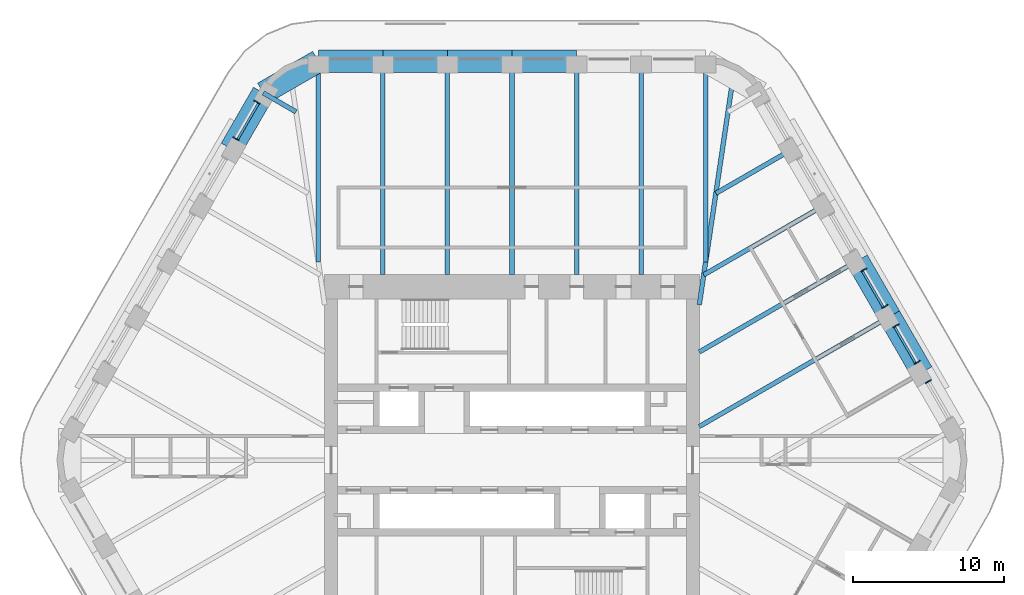
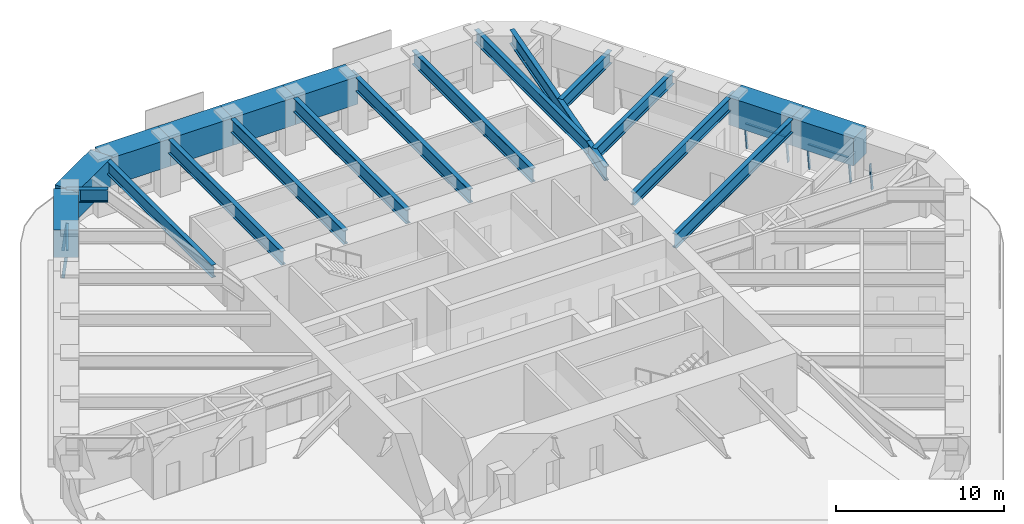
# One storey, part 9 of 18: 21 beams, 10 members, 4 elements without a shape of their own.
"""IFC4 building model written with IfcOpenShell, lengths in metres."""

from ifc_helpers import new_model, si_unit, direction, frame, origin, origin_2d, place, context, subcontext, project, spatial, rectangle, i_section, extrude, material, material_profile, profile_set, type_object, element, aggregate, save


model = new_model("IFC4")

# Units and contexts
model_context = context("Model", 3, precision=1e-05, world=origin(), true_north=direction((0.0, 1.0)))
body_context = subcontext(model_context, "Body", "Model", "MODEL_VIEW")
ifc_project = project(units=[si_unit("LENGTHUNIT", "METRE"), si_unit("AREAUNIT", "SQUARE_METRE"), si_unit("VOLUMEUNIT", "CUBIC_METRE"), si_unit("PLANEANGLEUNIT", "RADIAN"), si_unit("MASSUNIT", "GRAM", prefix="KILO")], contexts=[model_context])

# Site, building, storey
site_placement = place(None, origin())
site = spatial("IfcSite", under=ifc_project, at=site_placement, CompositionType="ELEMENT")
building_placement = place(site_placement, origin())
building = spatial("IfcBuilding", under=site, at=building_placement, Name="Tarfa Lantern Tower", CompositionType="ELEMENT")
storey_placement = place(building_placement, frame((0.0, 0.0, 324.10009765625)))
storey = spatial("IfcBuildingStorey", under=building, at=storey_placement, Name="L73", CompositionType="ELEMENT", Elevation=324.10009765625)

# Curtain wall, member
ifc_material_1 = material(Name="Aluminium framed curtain wall", Category="aluminium")
curtain_wall_type = type_object("IfcCurtainWallType", Name="CW4 CANTED GLAZING EXECUTIVE ZONE 2000", PredefinedType="USERDEFINED", material=ifc_material_1)
curtain_wall_1_placement = place(storey_placement, origin())
curtain_wall_1 = element("IfcCurtainWall", 1, at=curtain_wall_1_placement, inside=storey, type_object=curtain_wall_type, Name="CW4 NE L73", ObjectType="CURTAIN WALL", PredefinedType="USERDEFINED")
ifc_material_2 = material(Name="Aluminium mullion", Category="aluminium")
ifc_material_profile_1 = material_profile(ifc_material_2, rectangle(XDim=0.06494140625, YDim=0.199951171875, at=origin_2d()), Name="AL MULLION 65x200")
ifc_profile_set_1 = profile_set([ifc_material_profile_1], Name="Aluminium mullion")
member_type_1 = type_object("IfcMemberType", Name="CWM1 MULLION 65x200", PredefinedType="MULLION", material=ifc_profile_set_1)
member_1_placement = place(storey_placement, frame((27.727783203125, 5.27392578125, 0.0), z_axis=(-0.107439978116, -0.062017213975, 0.992275423596), x_axis=(0.499919672301, -0.866071776036, 0.0)))
member_1 = element("IfcMember", 2, at=member_1_placement, type_object=member_type_1, Name="CW4 mullion 2", PredefinedType="MULLION", context=body_context, shape_type="SweptSolid", body=[
    extrude(rectangle(XDim=0.06494140625, YDim=0.199951171875, at=origin_2d()), origin(), (0.0, 0.0, 1.0), 2.015625),
])
aggregate(curtain_wall_1, [member_1])

# Curtain wall, members
curtain_wall_2_placement = place(storey_placement, origin())
curtain_wall_2 = element("IfcCurtainWall", 3, at=curtain_wall_2_placement, inside=storey, type_object=curtain_wall_type, Name="CW4 NE L73", ObjectType="CURTAIN WALL", PredefinedType="USERDEFINED")
member_2_placement = place(storey_placement, frame((26.995361328125, 6.542724609375, 0.0), z_axis=(-0.107439978116, -0.062017213975, 0.992275423596), x_axis=(0.499919672301, -0.866071776036, 0.0)))
member_2 = element("IfcMember", 4, at=member_2_placement, type_object=member_type_1, Name="CW4 mullion 1", PredefinedType="MULLION", context=body_context, shape_type="SweptSolid", body=[
    extrude(rectangle(XDim=0.06494140625, YDim=0.199951171875, at=origin_2d()), origin(), (0.0, 0.0, 1.0), 2.015625),
])
member_3_placement = place(storey_placement, frame((25.5869140625, 8.982421875, 0.0), z_axis=(-0.107439978116, -0.062017213975, 0.992275423596), x_axis=(0.499919672301, -0.866071776036, 0.0)))
member_3 = element("IfcMember", 5, at=member_3_placement, type_object=member_type_1, Name="CW4 mullion 2", PredefinedType="MULLION", context=body_context, shape_type="SweptSolid", body=[
    extrude(rectangle(XDim=0.06494140625, YDim=0.199951171875, at=origin_2d()), origin(), (0.0, 0.0, 1.0), 2.015625),
])

curtain_wall_3_placement = place(storey_placement, origin())
curtain_wall_3 = element("IfcCurtainWall", 6, at=curtain_wall_3_placement, inside=storey, type_object=curtain_wall_type, Name="CW4 NE L73", ObjectType="CURTAIN WALL", PredefinedType="USERDEFINED")
member_4_placement = place(storey_placement, frame((24.854248046875, 10.2509765625, 0.0), z_axis=(-0.107320246625, -0.062018020623, 0.992288329964), x_axis=(0.500342721131, -0.865827443207, 0.0)))
member_4 = element("IfcMember", 7, at=member_4_placement, type_object=member_type_1, Name="CW4 mullion 1", PredefinedType="MULLION", context=body_context, shape_type="SweptSolid", body=[
    extrude(rectangle(XDim=0.06494140625, YDim=0.199951171875, at=origin_2d()), origin(), (0.0, 0.0, 1.0), 2.015625),
])
member_5_placement = place(storey_placement, frame((23.44580078125, 12.690673828125, 0.0), z_axis=(-0.107439978116, -0.062017213975, 0.992275423596), x_axis=(0.499919672301, -0.866071776036, 0.0)))
member_5 = element("IfcMember", 8, at=member_5_placement, type_object=member_type_1, Name="CW4 mullion 2", PredefinedType="MULLION", context=body_context, shape_type="SweptSolid", body=[
    extrude(rectangle(XDim=0.06494140625, YDim=0.199951171875, at=origin_2d()), origin(), (0.0, 0.0, 1.0), 2.015625),
])

curtain_wall_4_placement = place(storey_placement, origin())
curtain_wall_4 = element("IfcCurtainWall", 9, at=curtain_wall_4_placement, inside=storey, type_object=curtain_wall_type, Name="CW4 NW L73", ObjectType="CURTAIN WALL", PredefinedType="USERDEFINED")
member_6_placement = place(storey_placement, frame((-17.022705078125, 23.815673828125, 0.0), z_axis=(0.107320246625, -0.062018020623, 0.992288329964), x_axis=(0.500342721131, 0.865827443207, 0.0)))
member_6 = element("IfcMember", 10, at=member_6_placement, type_object=member_type_1, Name="CW4 mullion 1", PredefinedType="MULLION", context=body_context, shape_type="SweptSolid", body=[
    extrude(rectangle(XDim=0.06494140625, YDim=0.199951171875, at=origin_2d()), origin(), (0.0, 0.0, 1.0), 2.015625),
])
member_7_placement = place(storey_placement, frame((-18.431396484375, 21.3759765625, 0.0), z_axis=(0.107439978116, -0.062017213975, 0.992275423596), x_axis=(0.499919672301, 0.866071776036, 0.0)))
member_7 = element("IfcMember", 11, at=member_7_placement, type_object=member_type_1, Name="CW4 mullion 2", PredefinedType="MULLION", context=body_context, shape_type="SweptSolid", body=[
    extrude(rectangle(XDim=0.06494140625, YDim=0.199951171875, at=origin_2d()), origin(), (0.0, 0.0, 1.0), 2.015625),
])

# Member
ifc_material_3 = material(Name="Aluminium transom", Category="aluminium")
ifc_material_profile_2 = material_profile(ifc_material_3, rectangle(XDim=0.14990234375, YDim=0.06494140625, at=origin_2d()), Name="AL TRANSOM 150x65")
ifc_profile_set_2 = profile_set([ifc_material_profile_2], Name="Aluminium transom")
member_type_2 = type_object("IfcMemberType", Name="CWT1 TRANSOM 150x65", PredefinedType="USERDEFINED", material=ifc_profile_set_2)
member_8_placement = place(storey_placement, frame((26.76611328125, 6.44775390625, 1.96728515625), z_axis=(-0.499955378711, 0.866051164365, 0.0), x_axis=(-0.866051164365, -0.499955378711, 0.0)))
member_8 = element("IfcMember", 12, at=member_8_placement, type_object=member_type_2, Name="CW4 transom 1.2", ObjectType="TRANSOM", PredefinedType="USERDEFINED", context=body_context, shape_type="SweptSolid", body=[
    extrude(rectangle(XDim=0.14990234375, YDim=0.06494140625, at=origin_2d()), origin(), (0.0, 0.0, 1.0), 2.752197265625),
])

aggregate(curtain_wall_2, [member_2, member_3, member_8])

member_9_placement = place(storey_placement, frame((24.625, 10.15625, 1.96728515625), z_axis=(-0.499993790352, 0.866028988896, 0.0), x_axis=(-0.866028988896, -0.499993790352, 0.0)))
member_9 = element("IfcMember", 13, at=member_9_placement, type_object=member_type_2, Name="CW4 transom 1.2", ObjectType="TRANSOM", PredefinedType="USERDEFINED", context=body_context, shape_type="SweptSolid", body=[
    extrude(rectangle(XDim=0.14990234375, YDim=0.06494140625, at=origin_2d()), origin(), (0.0, 0.0, 1.0), 2.751953125),
])

aggregate(curtain_wall_3, [member_4, member_5, member_9])

member_10_placement = place(storey_placement, frame((-16.826171875, 23.66455078125, 1.96728515625), z_axis=(-0.499993790352, -0.866028988896, 0.0), x_axis=(0.866028988896, -0.499993790352, 0.0)))
member_10 = element("IfcMember", 14, at=member_10_placement, type_object=member_type_2, Name="CW4 transom 1.2", ObjectType="TRANSOM", PredefinedType="USERDEFINED", context=body_context, shape_type="SweptSolid", body=[
    extrude(rectangle(XDim=0.14990234375, YDim=0.06494140625, at=origin_2d()), origin(), (0.0, 0.0, 1.0), 2.751953125),
])

aggregate(curtain_wall_4, [member_6, member_7, member_10])

# Beams
ifc_material_4 = material(Name="Concrete C80/95", Category="concrete")
ifc_material_profile_3 = material_profile(ifc_material_4, rectangle(XDim=1.5, YDim=2.0, at=origin_2d()), Name="RC 1500x2000")
ifc_profile_set_3 = profile_set([ifc_material_profile_3], Name="Concrete C80/95")
beam_type_1 = type_object("IfcBeamType", Name="RB3 RC 1500x2000", PredefinedType="BEAM", material=ifc_profile_set_3)
beam_1_placement = place(storey_placement, frame((27.205810546875, 5.818359375, 3.0), z_axis=(-0.500026801138, 0.866009929587, 0.0), x_axis=(-0.866009929587, -0.500026801138, 0.0)))
element("IfcBeam", 15, at=beam_1_placement, inside=storey, type_object=beam_type_1, Name="Edge beam NE1", PredefinedType="BEAM", context=body_context, shape_type="SweptSolid", body=[
    extrude(rectangle(XDim=1.5, YDim=2.0, at=origin_2d()), origin(), (0.0, 0.0, 1.0), 4.281982421875),
])
beam_2_placement = place(storey_placement, frame((25.064697265625, 9.526611328125, 3.0), z_axis=(-0.500002112793, 0.866024183959, 0.0), x_axis=(-0.866024183959, -0.500002112793, 0.0)))
element("IfcBeam", 16, at=beam_2_placement, inside=storey, type_object=beam_type_1, Name="Edge beam NE2", PredefinedType="BEAM", context=body_context, shape_type="SweptSolid", body=[
    extrude(rectangle(XDim=1.5, YDim=2.0, at=origin_2d()), origin(), (0.0, 0.0, 1.0), 4.2822265625),
])
for number, where, z_axis, x_axis, name in (
    (17, (4.281982421875, 26.469970703125, 3.0), (-1.0, 0.0, 0.0), (0.0, -1.0, 0.0), "Edge beam N2"),
    (18, (0.0, 26.469970703125, 3.0), (-1.0, 0.0, 0.0), (0.0, -1.0, 0.0), "Edge beam N3"),
    (19, (-4.281982421875, 26.469970703125, 3.0), (-1.0, 0.0, 0.0), (0.0, -1.0, 0.0), "Edge beam N4"),
    (20, (-8.56396484375, 26.469970703125, 3.0), (-1.0, 0.0, 0.0), (0.0, -1.0, 0.0), "Edge beam N5"),
):
    element("IfcBeam", number, at=place(storey_placement, frame(where, z_axis=z_axis, x_axis=x_axis)), inside=storey, type_object=beam_type_1, Name=name, PredefinedType="BEAM", context=body_context, shape_type="SweptSolid", body=[
        extrude(rectangle(XDim=1.5, YDim=2.0, at=origin_2d()), origin(), (0.0, 0.0, 1.0), 4.281982421875),
    ])
beam_3_placement = place(storey_placement, frame((-12.845947265625, 26.469970703125, 3.0), z_axis=(-0.866048788483, -0.499959494327, 0.0), x_axis=(0.499959494327, -0.866048788483, 0.0)))
element("IfcBeam", 21, at=beam_3_placement, inside=storey, type_object=beam_type_1, Name="Edge beam N6", PredefinedType="BEAM", context=body_context, shape_type="SweptSolid", body=[
    extrude(rectangle(XDim=1.5, YDim=2.0, at=origin_2d()), origin(), (0.0, 0.0, 1.0), 4.219970703125),
])
beam_4_placement = place(storey_placement, frame((-16.500732421875, 24.360107421875, 3.0), z_axis=(-0.499959351497, -0.866048870937, 0.0), x_axis=(0.866048870937, -0.499959351497, 0.0)))
element("IfcBeam", 22, at=beam_4_placement, inside=storey, type_object=beam_type_1, Name="Edge beam NW0", PredefinedType="BEAM", context=body_context, shape_type="SweptSolid", body=[
    extrude(rectangle(XDim=1.5, YDim=2.0, at=origin_2d()), origin(), (0.0, 0.0, 1.0), 4.281982421875),
])
ifc_material_5 = material(Name="Steel S460M", Category="steel")
ifc_material_profile_4 = material_profile(ifc_material_5, i_section(OverallWidth=0.302001953125, OverallDepth=1.008056640625, WebThickness=0.02099609375, FlangeThickness=0.0400390625, FilletRadius=0.030029296875, at=origin_2d()), Name="UB1016x305x349")
ifc_profile_set_4 = profile_set([ifc_material_profile_4], Name="Steel S460M")
beam_type_2 = type_object("IfcBeamType", Name="UB1016x305x349", PredefinedType="BEAM", material=ifc_profile_set_4)
beam_5_placement = place(storey_placement, frame((25.064697265625, 9.526611328125, 3.495849609375), z_axis=(-0.866029591389, -0.499992746786, 0.0), x_axis=(0.499992746786, -0.866029591389, 0.0)))
element("IfcBeam", 23, at=beam_5_placement, inside=storey, type_object=beam_type_2, Name="Floor beam NE2", PredefinedType="BEAM", context=body_context, shape_type="SweptSolid", body=[
    extrude(i_section(OverallWidth=0.302001953125, OverallDepth=1.008056640625, WebThickness=0.02099609375, FlangeThickness=0.0400390625, FilletRadius=0.030029296875, at=origin_2d()), origin(), (0.0, 0.0, 1.0), 14.594970703125),
])
for number, where, z_axis, x_axis, name in (
    (24, (8.56396484375, 26.469970703125, 3.495849609375), (0.0, -1.0, 0.0), (1.0, 0.0, 0.0), "Floor beam N1"),
    (25, (4.281982421875, 26.469970703125, 3.495849609375), (0.0, -1.0, 0.0), (1.0, 0.0, 0.0), "Floor beam N2"),
    (26, (0.0, 26.469970703125, 3.495849609375), (0.0, -1.0, 0.0), (1.0, 0.0, 0.0), "Floor beam N3"),
    (27, (-4.281982421875, 26.469970703125, 3.495849609375), (0.0, -1.0, 0.0), (1.0, 0.0, 0.0), "Floor beam N4"),
    (28, (-8.56396484375, 26.469970703125, 3.495849609375), (0.0, -1.0, 0.0), (1.0, 0.0, 0.0), "Floor beam N5"),
):
    element("IfcBeam", number, at=place(storey_placement, frame(where, z_axis=z_axis, x_axis=x_axis)), inside=storey, type_object=beam_type_2, Name=name, PredefinedType="BEAM", context=body_context, shape_type="SweptSolid", body=[
        extrude(i_section(OverallWidth=0.302001953125, OverallDepth=1.008056640625, WebThickness=0.02099609375, FlangeThickness=0.0400390625, FilletRadius=0.030029296875, at=origin_2d()), origin(), (0.0, 0.0, 1.0), 14.169921875),
    ])
ifc_material_profile_5 = material_profile(ifc_material_5, i_section(OverallWidth=0.30859375, OverallDepth=1.036376953125, WebThickness=0.030029296875, FlangeThickness=0.05419921875, FilletRadius=0.030029296875, at=origin_2d()), Name="UB1016x305x487")
ifc_profile_set_5 = profile_set([ifc_material_profile_5], Name="Steel S460M")
beam_type_3 = type_object("IfcBeamType", Name="UB1016x305x487", PredefinedType="BEAM", material=ifc_profile_set_5)
beam_6_placement = place(storey_placement, frame((12.425048828125, 10.300048828125, 3.481689453125), z_axis=(0.147127069073, 0.989117599452, 0.0), x_axis=(-0.989117599452, 0.147127069073, 0.0)))
element("IfcBeam", 29, at=beam_6_placement, inside=storey, type_object=beam_type_3, Name="Hip girder NE", PredefinedType="BEAM", context=body_context, shape_type="SweptSolid", body=[
    extrude(i_section(OverallWidth=0.30859375, OverallDepth=1.036376953125, WebThickness=0.030029296875, FlangeThickness=0.05419921875, FilletRadius=0.030029296875, at=origin_2d()), origin(), (0.0, 0.0, 1.0), 15.28125),
])
ifc_material_profile_6 = material_profile(ifc_material_5, i_section(OverallWidth=0.305419921875, OverallDepth=0.91845703125, WebThickness=0.017333984375, FlangeThickness=0.02783203125, FilletRadius=0.01904296875, at=origin_2d()), Name="UB914x305x253")
ifc_profile_set_6 = profile_set([ifc_material_profile_6], Name="Steel S460M")
beam_type_4 = type_object("IfcBeamType", Name="UB914x305x253", PredefinedType="BEAM", material=ifc_profile_set_6)
beam_7_placement = place(storey_placement, frame((22.923583984375, 13.235107421875, 3.540771484375), z_axis=(-0.86601856927, -0.500011837539, 0.0), x_axis=(0.500011837539, -0.86601856927, 0.0)))
element("IfcBeam", 30, at=beam_7_placement, inside=storey, type_object=beam_type_4, Name="Floor beam NE3", PredefinedType="BEAM", context=body_context, shape_type="SweptSolid", body=[
    extrude(i_section(OverallWidth=0.305419921875, OverallDepth=0.91845703125, WebThickness=0.017333984375, FlangeThickness=0.02783203125, FilletRadius=0.01904296875, at=origin_2d()), origin(), (0.0, 0.0, 1.0), 12.122802734375),
])
beam_8_placement = place(storey_placement, frame((20.78271484375, 16.943359375, 3.540771484375), z_axis=(-0.866021806508, -0.500006230613, 0.0), x_axis=(0.500006230613, -0.866021806508, 0.0)))
element("IfcBeam", 31, at=beam_8_placement, inside=storey, type_object=beam_type_4, Name="Floor beam NE4", PredefinedType="BEAM", context=body_context, shape_type="SweptSolid", body=[
    extrude(i_section(OverallWidth=0.305419921875, OverallDepth=0.91845703125, WebThickness=0.017333984375, FlangeThickness=0.02783203125, FilletRadius=0.01904296875, at=origin_2d()), origin(), (0.0, 0.0, 1.0), 9.30908203125),
])
beam_9_placement = place(storey_placement, frame((18.6416015625, 20.651611328125, 3.540771484375), z_axis=(-0.866024549157, -0.500001480256, 0.0), x_axis=(0.500001480256, -0.866024549157, 0.0)))
element("IfcBeam", 32, at=beam_9_placement, inside=storey, type_object=beam_type_4, Name="Floor beam NE5", PredefinedType="BEAM", context=body_context, shape_type="SweptSolid", body=[
    extrude(i_section(OverallWidth=0.305419921875, OverallDepth=0.91845703125, WebThickness=0.017333984375, FlangeThickness=0.02783203125, FilletRadius=0.01904296875, at=origin_2d()), origin(), (0.0, 0.0, 1.0), 5.90771484375),
])
for number, where, z_axis, x_axis, name in (
    (33, (12.845947265625, 26.469970703125, 3.540771484375), (0.0, -1.0, 0.0), (1.0, 0.0, 0.0), "Floor beam N0"),
    (34, (-12.845947265625, 26.469970703125, 3.540771484375), (0.0, -1.0, 0.0), (1.0, 0.0, 0.0), "Floor beam N6"),
):
    element("IfcBeam", number, at=place(storey_placement, frame(where, z_axis=z_axis, x_axis=x_axis)), inside=storey, type_object=beam_type_4, Name=name, PredefinedType="BEAM", context=body_context, shape_type="SweptSolid", body=[
        extrude(i_section(OverallWidth=0.305419921875, OverallDepth=0.91845703125, WebThickness=0.017333984375, FlangeThickness=0.02783203125, FilletRadius=0.01904296875, at=origin_2d()), origin(), (0.0, 0.0, 1.0), 13.33935546875),
    ])
beam_10_placement = place(storey_placement, frame((-16.500732421875, 24.360107421875, 3.540771484375), z_axis=(0.865992557167, -0.500056887695, 0.0), x_axis=(0.500056887695, 0.865992557167, 0.0)))
element("IfcBeam", 35, at=beam_10_placement, inside=storey, type_object=beam_type_4, Name="Floor beam NW0", PredefinedType="BEAM", context=body_context, shape_type="SweptSolid", body=[
    extrude(i_section(OverallWidth=0.305419921875, OverallDepth=0.91845703125, WebThickness=0.017333984375, FlangeThickness=0.02783203125, FilletRadius=0.01904296875, at=origin_2d()), origin(), (0.0, 0.0, 1.0), 2.506591796875),
])

save(model, "model.ifc")
